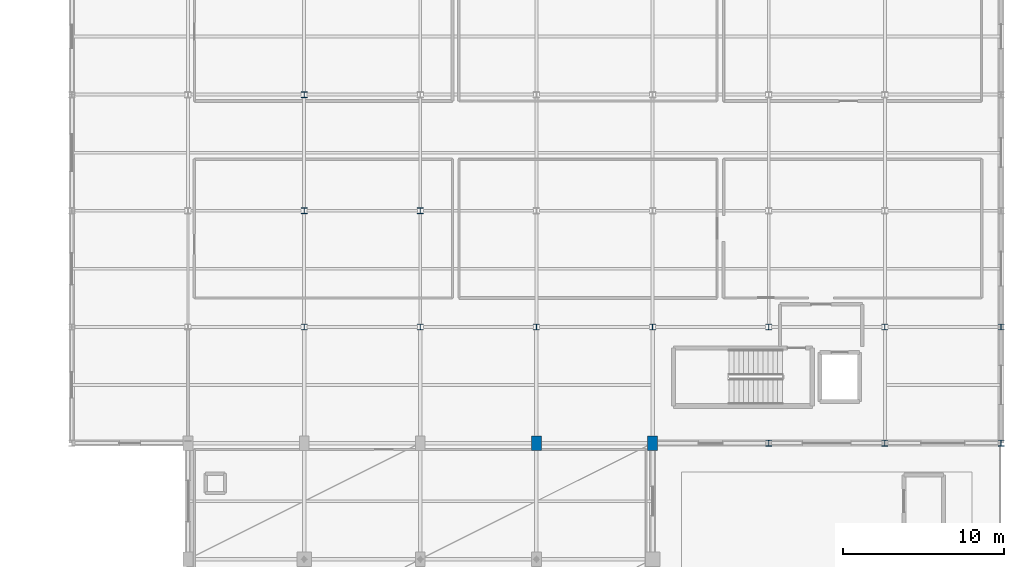
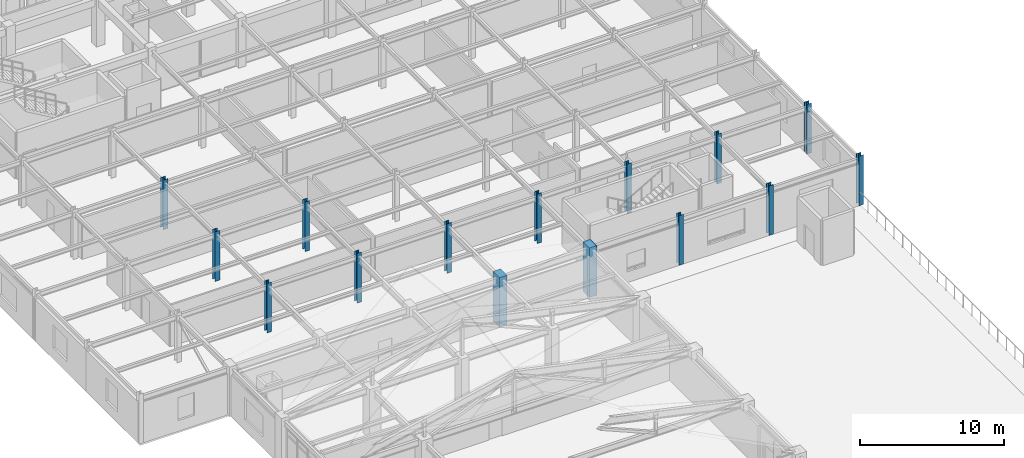
# One storey, part 14 of 113: 15 columns.
"""IFC4 building model written with IfcOpenShell, lengths in metres."""

from ifc_helpers import new_model, si_unit, direction, frame, origin, origin_2d, place, context, subcontext, project, spatial, rectangle, i_section, extrude, material, material_profile, profile_set, type_object, element, save


model = new_model("IFC4")

# Units and contexts
model_context = context("Model", 3, precision=1e-05, world=origin(), true_north=direction((0.0, 1.0)))
body_context = subcontext(model_context, "Body", "Model", "MODEL_VIEW")
ifc_project = project(units=[si_unit("LENGTHUNIT", "METRE"), si_unit("AREAUNIT", "SQUARE_METRE"), si_unit("VOLUMEUNIT", "CUBIC_METRE"), si_unit("PLANEANGLEUNIT", "RADIAN"), si_unit("MASSUNIT", "GRAM", prefix="KILO")], contexts=[model_context])

# Site, building, storey
site_placement = place(None, origin())
site = spatial("IfcSite", under=ifc_project, at=site_placement, CompositionType="ELEMENT")
building_placement = place(site_placement, origin())
building = spatial("IfcBuilding", under=site, at=building_placement, Name="Carrowvane Square Congress Hotel", CompositionType="ELEMENT")
storey_placement = place(building_placement, frame((0.0, 0.0, 15.0)))
storey = spatial("IfcBuildingStorey", under=building, at=storey_placement, Name="L03", CompositionType="ELEMENT", Elevation=15.0)

# Columns
ifc_material_1 = material(Name="Concrete C40/50", Category="concrete")
ifc_material_profile_1 = material_profile(ifc_material_1, rectangle(XDim=0.60009765625, YDim=0.89990234375, at=origin_2d()), Name="RC 600x900")
ifc_profile_set_1 = profile_set([ifc_material_profile_1], Name="Concrete C40/50")
column_type_1 = type_object("IfcColumnType", Name="COL-RC-600x900", PredefinedType="COLUMN", material=ifc_profile_set_1)
for number, where, z_axis, x_axis, name in (
    (1, (155.60009765625, 55.800048828125, 0.0), (0.0, 0.0, 1.0), (1.0, 0.0, 0.0), "L03 column 21/H"),
    (2, (162.800048828125, 55.800048828125, 0.0), (0.0, 0.0, 1.0), (1.0, 0.0, 0.0), "L03 column 22/H"),
):
    element("IfcColumn", number, at=place(storey_placement, frame(where, z_axis=z_axis, x_axis=x_axis)), inside=storey, type_object=column_type_1, Name=name, PredefinedType="COLUMN", context=body_context, shape_type="SweptSolid", body=[
        extrude(rectangle(XDim=0.60009765625, YDim=0.89990234375, at=origin_2d()), origin(), (0.0, 0.0, 1.0), 4.199951171875),
    ])
ifc_material_2 = material(Name="Steel S355", Category="steel")
ifc_material_profile_2 = material_profile(ifc_material_2, i_section(OverallWidth=0.37060546875, OverallDepth=0.362060546875, WebThickness=0.01220703125, FlangeThickness=0.020751953125, FilletRadius=0.01513671875, at=origin_2d()), Name="UKC 356x368x153")
ifc_profile_set_2 = profile_set([ifc_material_profile_2], Name="Steel S355")
column_type_2 = type_object("IfcColumnType", Name="COL-ST-UKC356", PredefinedType="COLUMN", material=ifc_profile_set_2)
for number, where, z_axis, x_axis, name in (
    (3, (141.199951171875, 63.0, 0.0), (0.0, 0.0, 1.0), (1.0, 0.0, 0.0), "L03 column 19/J"),
    (4, (141.199951171875, 70.199951171875, 0.0), (0.0, 0.0, 1.0), (1.0, 0.0, 0.0), "L03 column 19/K"),
    (5, (141.199951171875, 77.39990234375, 0.0), (0.0, 0.0, 1.0), (1.0, 0.0, 0.0), "L03 column 19/L"),
    (6, (148.39990234375, 63.0, 0.0), (0.0, 0.0, 1.0), (1.0, 0.0, 0.0), "L03 column 20/J"),
    (7, (148.39990234375, 70.199951171875, 0.0), (0.0, 0.0, 1.0), (1.0, 0.0, 0.0), "L03 column 20/K"),
    (8, (155.60009765625, 63.0, 0.0), (0.0, 0.0, 1.0), (1.0, 0.0, 0.0), "L03 column 21/J"),
    (9, (162.800048828125, 63.0, 0.0), (0.0, 0.0, 1.0), (1.0, 0.0, 0.0), "L03 column 22/J"),
    (10, (170.0, 55.800048828125, 0.0), (0.0, 0.0, 1.0), (1.0, 0.0, 0.0), "L03 column 23/H"),
    (11, (170.0, 63.0, 0.0), (0.0, 0.0, 1.0), (1.0, 0.0, 0.0), "L03 column 23/J"),
    (12, (177.199951171875, 55.800048828125, 0.0), (0.0, 0.0, 1.0), (1.0, 0.0, 0.0), "L03 column 24/H"),
    (13, (177.199951171875, 63.0, 0.0), (0.0, 0.0, 1.0), (1.0, 0.0, 0.0), "L03 column 24/J"),
    (14, (184.39990234375, 55.800048828125, 0.0), (0.0, 0.0, 1.0), (1.0, 0.0, 0.0), "L03 column 25/H"),
    (15, (184.39990234375, 63.0, 0.0), (0.0, 0.0, 1.0), (1.0, 0.0, 0.0), "L03 column 25/J"),
):
    element("IfcColumn", number, at=place(storey_placement, frame(where, z_axis=z_axis, x_axis=x_axis)), inside=storey, type_object=column_type_2, Name=name, PredefinedType="COLUMN", context=body_context, shape_type="SweptSolid", body=[
        extrude(i_section(OverallWidth=0.37060546875, OverallDepth=0.362060546875, WebThickness=0.01220703125, FlangeThickness=0.020751953125, FilletRadius=0.01513671875, at=origin_2d()), origin(), (0.0, 0.0, 1.0), 4.199951171875),
    ])

save(model, "model.ifc")
